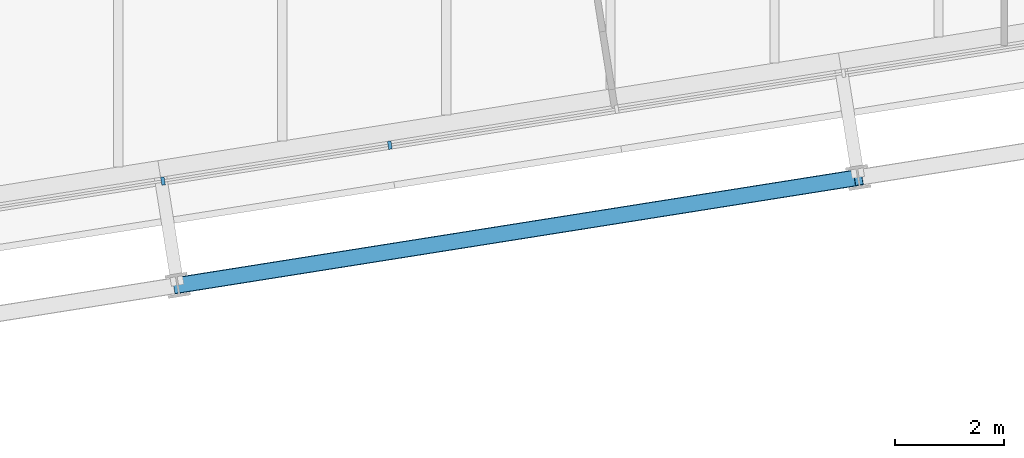
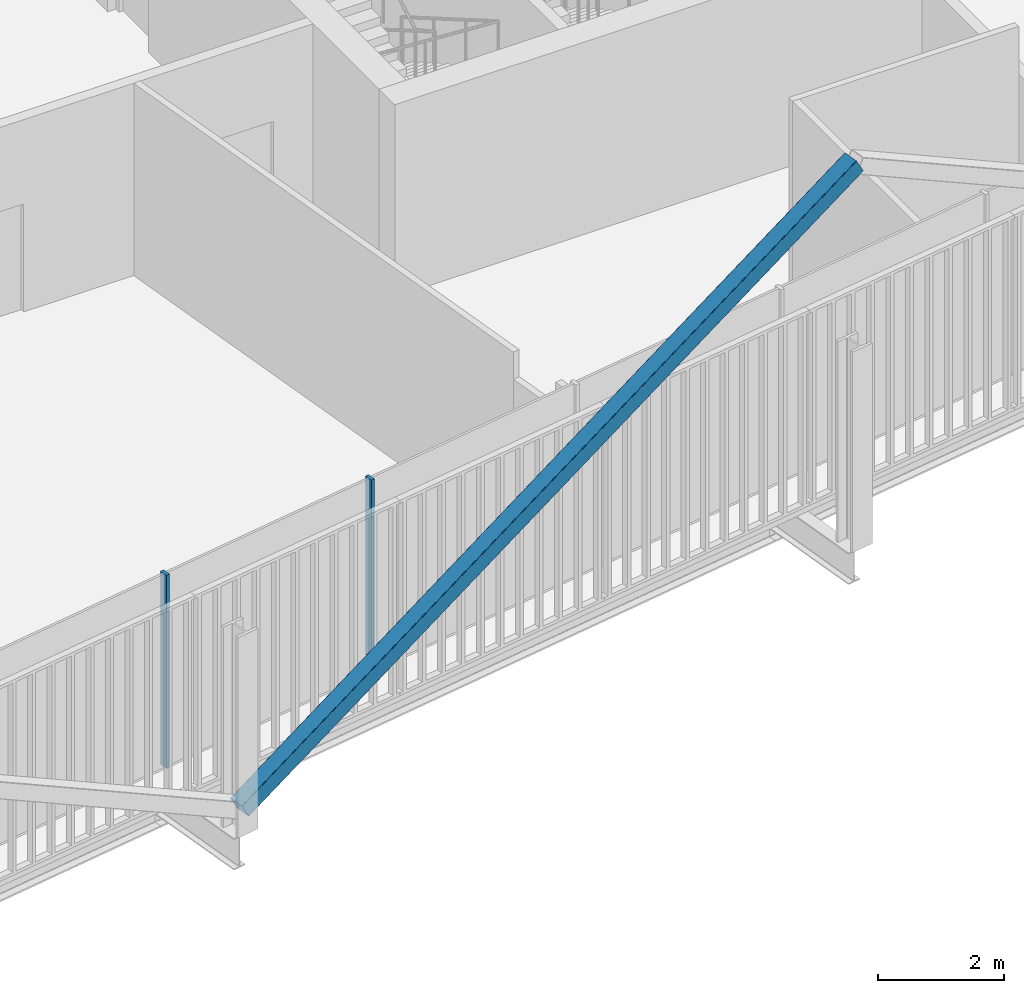
# One storey, part 3 of 21: 3 members, 1 element without a shape of its own.
"""IFC4 building model written with IfcOpenShell, lengths in metres."""

from ifc_helpers import new_model, si_unit, direction, frame, origin, origin_2d, place, context, subcontext, project, spatial, rectangle, hollow_rectangle, extrude, material, layer, layer_set, material_profile, profile_set, type_object, element, aggregate, save


model = new_model("IFC4")

# Units and contexts
model_context = context("Model", 3, precision=1e-05, world=origin(), true_north=direction((0.0, 1.0)))
body_context = subcontext(model_context, "Body", "Model", "MODEL_VIEW")
ifc_project = project(units=[si_unit("LENGTHUNIT", "METRE"), si_unit("AREAUNIT", "SQUARE_METRE"), si_unit("VOLUMEUNIT", "CUBIC_METRE"), si_unit("PLANEANGLEUNIT", "RADIAN"), si_unit("MASSUNIT", "GRAM", prefix="KILO")], contexts=[model_context])

# Site, building, storey
site_placement = place(None, origin())
site = spatial("IfcSite", under=ifc_project, at=site_placement, CompositionType="ELEMENT")
building_placement = place(site_placement, origin())
building = spatial("IfcBuilding", under=site, at=building_placement, Name="Millrace Tower", CompositionType="ELEMENT")
storey_placement = place(building_placement, frame((0.0, 0.0, 220.300048828125)))
storey = spatial("IfcBuildingStorey", under=building, at=storey_placement, Name="L50", CompositionType="ELEMENT", Elevation=220.300048828125)

# Curtain wall, members
ifc_material_1 = material(Name="Aluminium and glass", Category="aluminium")
ifc_layer = layer(ifc_material_1, 0.14990234375)
ifc_layer_set = layer_set([ifc_layer], Name="Aluminium and glass")
curtain_wall_type = type_object("IfcCurtainWallType", Name="CW-1 office vision curtain wall", PredefinedType="NOTDEFINED", material=ifc_layer_set)
curtain_wall_placement = place(storey_placement, origin())
curtain_wall = element("IfcCurtainWall", 1, at=curtain_wall_placement, inside=storey, type_object=curtain_wall_type, Name="Curtain wall D-F02 L50", PredefinedType="NOTDEFINED")
ifc_material_2 = material(Name="Aluminium", Category="aluminium")
ifc_material_profile_1 = material_profile(ifc_material_2, rectangle(XDim=0.06494140625, YDim=0.14990234375, at=origin_2d()))
ifc_profile_set_1 = profile_set([ifc_material_profile_1], Name="Aluminium")
member_type_1 = type_object("IfcMemberType", Name="CW-1 office vision curtain wall mullion", PredefinedType="MULLION", material=ifc_profile_set_1)
member_1_placement = place(storey_placement, frame((-5.1806640625, -19.021240234375, 0.139892578125), z_axis=(0.0, 0.0, 1.0), x_axis=(0.987688339511, 0.156434471884, 0.0)))
member_1 = element("IfcMember", 2, at=member_1_placement, type_object=member_type_1, Name="CW1 mullion D-F02.4", PredefinedType="MULLION", context=body_context, shape_type="SweptSolid", body=[
    extrude(rectangle(XDim=0.06494140625, YDim=0.14990234375, at=origin_2d()), origin(), (0.0, 0.0, 1.0), 3.760009765625),
])
member_2_placement = place(storey_placement, frame((-1.0322265625, -18.3642578125, 0.139892578125), z_axis=(0.0, 0.0, 1.0), x_axis=(0.987688339511, 0.156434471884, 0.0)))
member_2 = element("IfcMember", 3, at=member_2_placement, type_object=member_type_1, Name="CW1 mullion D-F02.5", PredefinedType="MULLION", context=body_context, shape_type="SweptSolid", body=[
    extrude(rectangle(XDim=0.06494140625, YDim=0.14990234375, at=origin_2d()), origin(), (0.0, 0.0, 1.0), 3.760009765625),
])
aggregate(curtain_wall, [member_1, member_2])

# Member
ifc_material_3 = material(Name="Steel ASTM A500 Grade C", Category="steel")
ifc_material_profile_2 = material_profile(ifc_material_3, hollow_rectangle(XDim=0.3046875, YDim=0.3046875, WallThickness=0.0126953125, InnerFilletRadius=0.00634765625, OuterFilletRadius=0.01904296875, at=origin_2d()))
ifc_profile_set_2 = profile_set([ifc_material_profile_2], Name="Steel ASTM A500 Grade C")
member_type_2 = type_object("IfcMemberType", Name="Exoskeleton brace HSS12x12x1/2", PredefinedType="BRACE", material=ifc_profile_set_2)
member_3_placement = place(storey_placement, frame((-4.91162109375, -20.927734375, 0.39990234375), z_axis=(0.863395126588, 0.136740080373, 0.485644937998), x_axis=(-0.156425232058, 0.987689802912, 0.0)))
element("IfcMember", 4, at=member_3_placement, inside=storey, type_object=member_type_2, Name="BRC-D-L50-03", PredefinedType="BRACE", context=body_context, shape_type="SweptSolid", body=[
    extrude(hollow_rectangle(XDim=0.3046875, YDim=0.3046875, WallThickness=0.0126953125, InnerFilletRadius=0.00634765625, OuterFilletRadius=0.01904296875, at=origin_2d()), origin(), (0.0, 0.0, 1.0), 14.413818359375),
])

save(model, "model.ifc")
